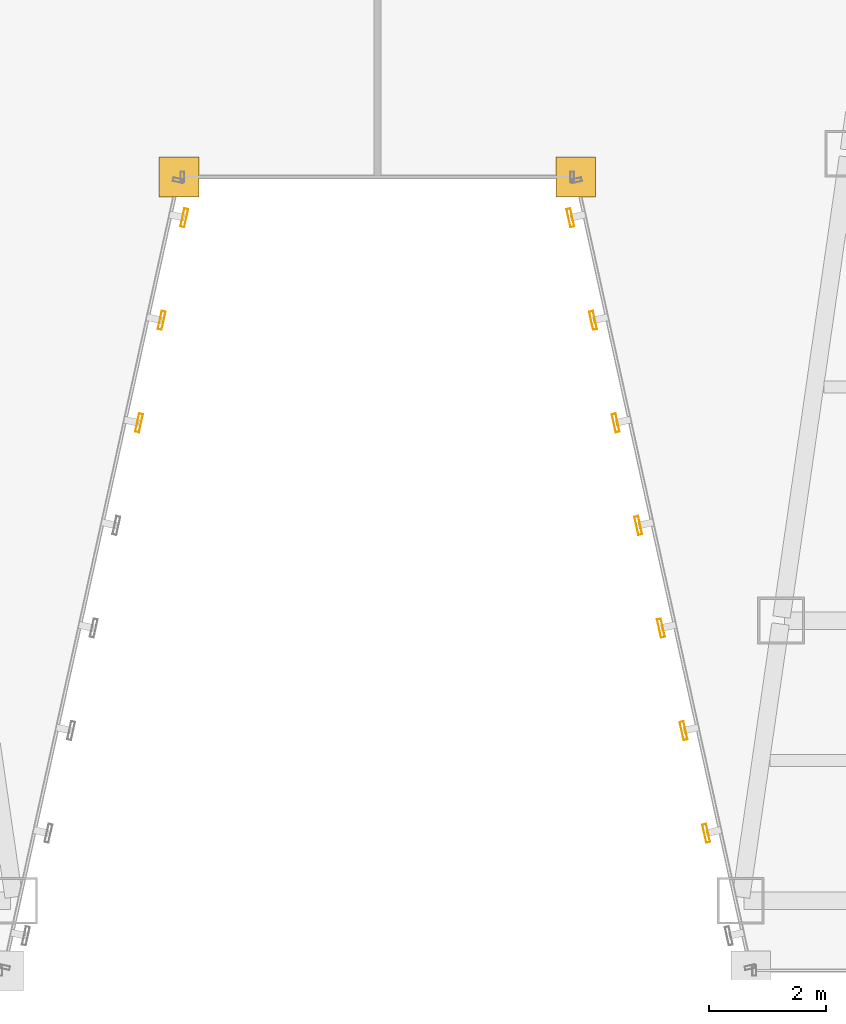
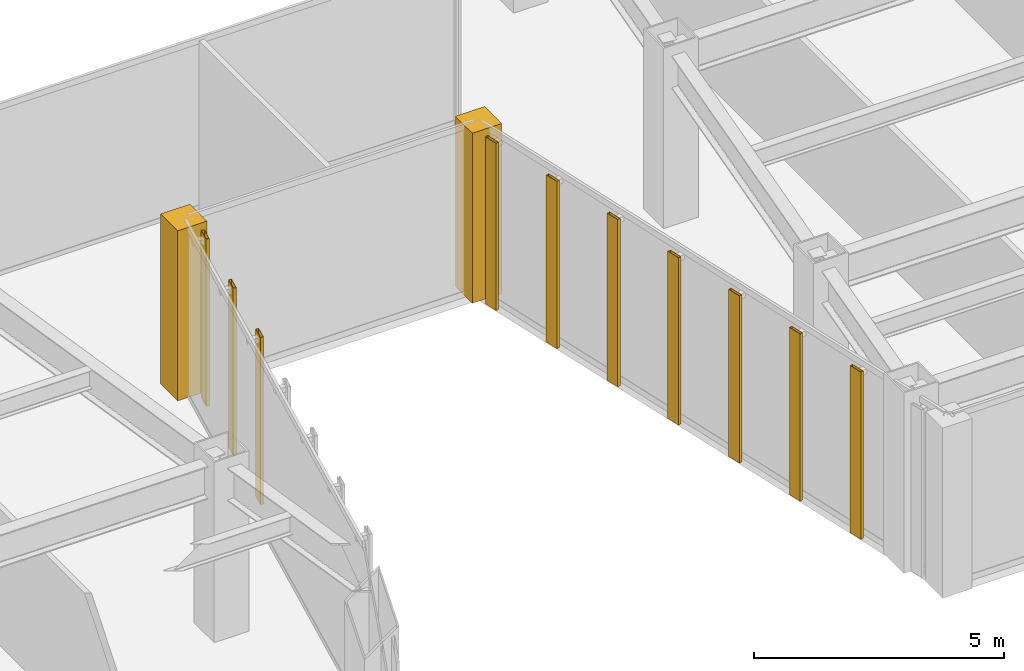
# One storey, part 42 of 49: 10 shading devices, 2 coverings.
"""IFC4 building model written with IfcOpenShell, lengths in metres."""

from ifc_helpers import new_model, si_unit, direction, frame, origin, origin_2d, place, context, subcontext, project, spatial, polyline, hollow_rectangle, outline, extrude, material, layer, layer_set, material_profile, profile_set, type_object, element, save


model = new_model("IFC4")

# Units and contexts
model_context = context("Model", 3, precision=1e-05, world=origin(), true_north=direction((0.0, 1.0)))
body_context = subcontext(model_context, "Body", "Model", "MODEL_VIEW")
ifc_project = project(units=[si_unit("LENGTHUNIT", "METRE"), si_unit("AREAUNIT", "SQUARE_METRE"), si_unit("VOLUMEUNIT", "CUBIC_METRE"), si_unit("PLANEANGLEUNIT", "RADIAN"), si_unit("MASSUNIT", "GRAM", prefix="KILO")], contexts=[model_context])

# Site, building, storey
site_placement = place(None, origin())
site = spatial("IfcSite", under=ifc_project, at=site_placement, CompositionType="ELEMENT")
building_placement = place(site_placement, origin())
building = spatial("IfcBuilding", under=site, at=building_placement, Name="Saevonmaru Cultural Tower", CompositionType="ELEMENT")
storey_placement = place(building_placement, frame((0.0, 0.0, 73.60009765625)))
storey = spatial("IfcBuildingStorey", under=building, at=storey_placement, Name="L15", CompositionType="ELEMENT", Elevation=73.60009765625)

# Coverings
ifc_material = material(Name="Satin Bronze Anodised Aluminium", Category="aluminium")
ifc_layer = layer(ifc_material, 0.679931640625, Name="Satin Bronze Anodised Aluminium")
ifc_layer_set = layer_set([ifc_layer], Name="Satin Bronze Anodised Aluminium")
covering_type = type_object("IfcCoveringType", Name="CV-CORNER-CLAD", PredefinedType="CLADDING", material=ifc_layer_set)
covering_1_placement = place(storey_placement, origin())
element("IfcCovering", 1, at=covering_1_placement, inside=storey, type_object=covering_type, Name="L15 Tower Bronze Corner Cladding Pier 4", PredefinedType="CLADDING", context=body_context, shape_type="SweptSolid", body=[
    extrude(outline(polyline([(26.260009765625, 15.260009765625), (26.93994140625, 15.260009765625), (26.93994140625, 15.93994140625), (26.260009765625, 15.93994140625), (26.260009765625, 15.260009765625)])), origin(), (0.0, 0.0, 1.0), 4.14990234375),
])
covering_2_placement = place(storey_placement, origin())
element("IfcCovering", 2, at=covering_2_placement, inside=storey, type_object=covering_type, Name="L15 Tower Bronze Corner Cladding Pier 5", PredefinedType="CLADDING", context=body_context, shape_type="SweptSolid", body=[
    extrude(outline(polyline([(33.06005859375, 15.260009765625), (33.739990234375, 15.260009765625), (33.739990234375, 15.93994140625), (33.06005859375, 15.93994140625), (33.06005859375, 15.260009765625)])), origin(), (0.0, 0.0, 1.0), 4.14990234375),
])

# Shading devices
ifc_material_profile = material_profile(ifc_material, hollow_rectangle(XDim=0.070068359375, YDim=0.320068359375, WallThickness=0.0048828125, at=origin_2d()), Name="FIN-320x70")
ifc_profile_set = profile_set([ifc_material_profile], Name="Satin Bronze Anodised Aluminium")
shading_device_type = type_object("IfcShadingDeviceType", Name="SHD-FIN-320", PredefinedType="JALOUSIE", material=ifc_profile_set)
for number, where, z_axis, x_axis, name in (
    (3, (25.916015625, 11.385009765625, 0.0498046875), (0.0, 0.0, 1.0), (0.976522126798, -0.215417120661, 0.0), "L15 Art Deco Sawtooth Bronze Fin E3-06"),
    (4, (26.3037109375, 13.142578125, 0.0498046875), (0.0, 0.0, 1.0), (0.976522126798, -0.215417120661, 0.0), "L15 Art Deco Sawtooth Bronze Fin E3-07"),
    (5, (26.69140625, 14.900390625, 0.0498046875), (0.0, 0.0, 1.0), (0.976522126798, -0.215417120661, 0.0), "L15 Art Deco Sawtooth Bronze Fin E3-08"),
    (6, (33.30859375, 14.900390625, 0.0498046875), (0.0, 0.0, 1.0), (-0.976522126798, -0.215417120661, 0.0), "L15 Art Deco Sawtooth Bronze Fin E5-01"),
    (7, (33.6962890625, 13.142578125, 0.0498046875), (0.0, 0.0, 1.0), (-0.976522126798, -0.215417120661, 0.0), "L15 Art Deco Sawtooth Bronze Fin E5-02"),
    (8, (34.083984375, 11.385009765625, 0.0498046875), (0.0, 0.0, 1.0), (-0.976522126798, -0.215417120661, 0.0), "L15 Art Deco Sawtooth Bronze Fin E5-03"),
    (9, (34.4716796875, 9.627197265625, 0.0498046875), (0.0, 0.0, 1.0), (-0.976522126798, -0.215417120661, 0.0), "L15 Art Deco Sawtooth Bronze Fin E5-04"),
    (10, (34.859619140625, 7.869384765625, 0.0498046875), (0.0, 0.0, 1.0), (-0.976522126798, -0.215417120661, 0.0), "L15 Art Deco Sawtooth Bronze Fin E5-05"),
    (11, (35.247314453125, 6.11181640625, 0.0498046875), (0.0, 0.0, 1.0), (-0.976522126798, -0.215417120661, 0.0), "L15 Art Deco Sawtooth Bronze Fin E5-06"),
    (12, (35.635009765625, 4.35400390625, 0.0498046875), (0.0, 0.0, 1.0), (-0.976522126798, -0.215417120661, 0.0), "L15 Art Deco Sawtooth Bronze Fin E5-07"),
):
    element("IfcShadingDevice", number, at=place(storey_placement, frame(where, z_axis=z_axis, x_axis=x_axis)), inside=storey, type_object=shading_device_type, Name=name, PredefinedType="JALOUSIE", context=body_context, shape_type="SweptSolid", body=[
        extrude(hollow_rectangle(XDim=0.070068359375, YDim=0.320068359375, WallThickness=0.0048828125, at=origin_2d()), origin(), (0.0, 0.0, 1.0), 4.080078125),
    ])

save(model, "model.ifc")
